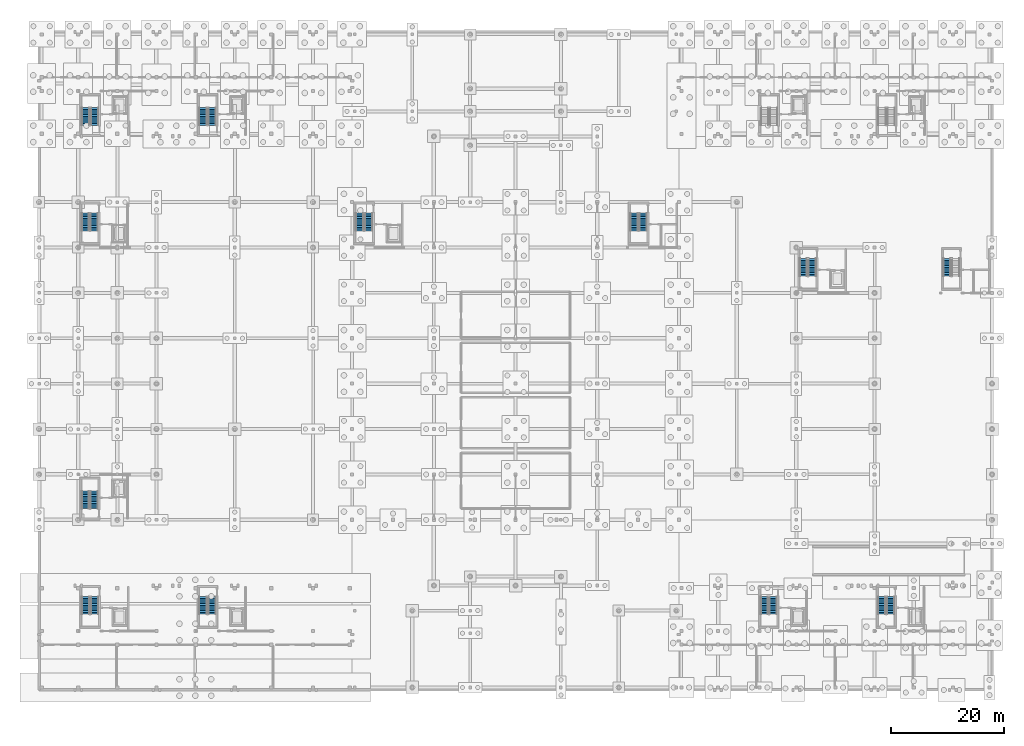
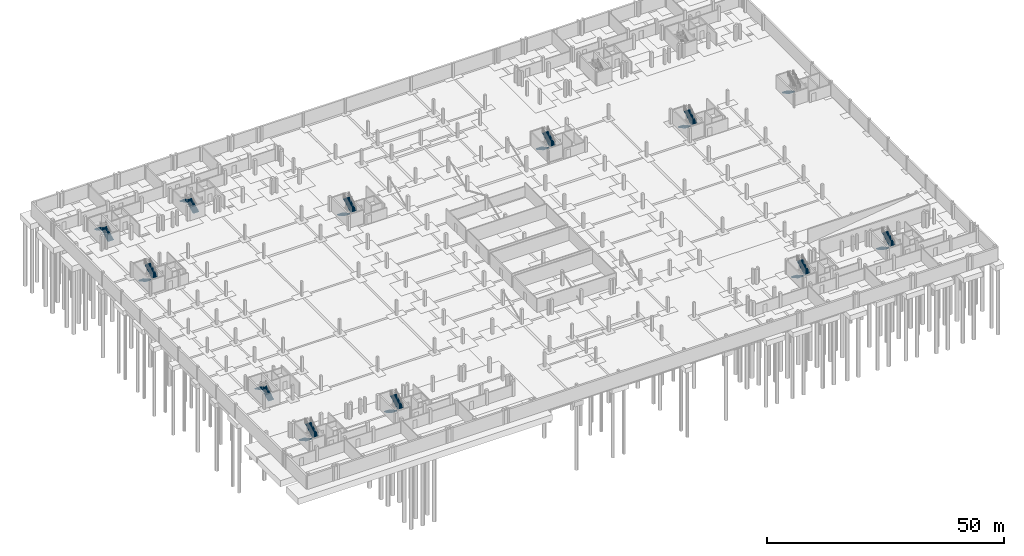
# One storey, part 30 of 38: 23 stair flights, 12 elements without a shape of their own.
"""IFC4 building model written with IfcOpenShell, lengths in metres."""

import ifcopenshell
import ifcopenshell.guid

model = None  # the IFC model being written
_history = None  # IfcOwnerHistory: only IFC2X3 demands one
_inside = {}  # id of a spatial element -> (the spatial element, [elements in it])
_under = {}  # id of a project, library or spatial element -> (it, [spatial elements below it])
_declared = {}  # id of a project -> (the project, [libraries it declares])
_typed = {}  # id of a type object -> (the type object, [elements of that type])
_made_of = {}  # id of a material, layer set ... -> (it, [elements and type objects made of it])


def new_model(schema):
    """Start an empty IFC model of exactly this schema.

    Asked for "IFC4X3", IfcOpenShell would pick the latest addendum, in which some entities
    have other attributes; the version numbers below select the first issue.
    IFC2X3 requires an IfcOwnerHistory on every rooted entity: one is made here for all.
    """
    global model, _history
    if schema == "IFC4X3":
        model = ifcopenshell.file(schema_version=(4, 3, 0, 0))
    else:
        model = ifcopenshell.file(schema=schema)
    _inside.clear()
    _under.clear()
    _declared.clear()
    _typed.clear()
    _made_of.clear()
    _history = None
    if model.schema == "IFC2X3":
        org = make("IfcOrganization", Name="unknown")
        user = make(
            "IfcPersonAndOrganization",
            ThePerson=make("IfcPerson", FamilyName="unknown"),
            TheOrganization=org,
        )
        app = make(
            "IfcApplication",
            ApplicationDeveloper=org,
            Version="unknown",
            ApplicationFullName="unknown",
            ApplicationIdentifier="unknown",
        )
        _history = make(
            "IfcOwnerHistory",
            OwningUser=user,
            OwningApplication=app,
            ChangeAction="ADDED",
            CreationDate=0,
        )
    return model


def make(cls, **values):
    """One entity of the class cls with the attributes given. An attribute that is None is left unset."""
    return model.create_entity(
        cls, **{name: value for name, value in values.items() if value is not None}
    )


def rooted(cls, **values):
    """An entity with a GlobalId (a new one), such as an element, a storey or a relation."""
    return make(cls, GlobalId=ifcopenshell.guid.new(), OwnerHistory=_history, **values)


def si_unit(unit_type, name, prefix=None):
    """IfcSIUnit, for example si_unit("LENGTHUNIT", "METRE", prefix="MILLI")."""
    return make("IfcSIUnit", UnitType=unit_type, Prefix=prefix, Name=name)


def assignment(units):
    """IfcUnitAssignment: the units of a project."""
    return None if units is None else make("IfcUnitAssignment", Units=units)


def point(xyz):
    """IfcCartesianPoint."""
    return None if xyz is None else make("IfcCartesianPoint", Coordinates=xyz)


def direction(xyz):
    """IfcDirection."""
    return None if xyz is None else make("IfcDirection", DirectionRatios=xyz)


def frame(location, z_axis=None, x_axis=None):
    """IfcAxis2Placement3D, a coordinate frame: its origin and axes. An axis left out is left unset."""
    return make(
        "IfcAxis2Placement3D",
        Location=point(location),
        Axis=direction(z_axis),
        RefDirection=direction(x_axis),
    )


def origin():
    """The frame at (0, 0, 0) with its axes left unset."""
    return frame((0.0, 0.0, 0.0))


def place(relative_to, where):
    """IfcLocalPlacement: puts the frame where relative to a parent placement (None: the world)."""
    return make(
        "IfcLocalPlacement", PlacementRelTo=relative_to, RelativePlacement=where
    )


def context(
    kind, dimensions, precision=None, world=None, true_north=None, identifier=None
):
    """IfcGeometricRepresentationContext, for example the 3D "Model" context."""
    return make(
        "IfcGeometricRepresentationContext",
        ContextIdentifier=identifier,
        ContextType=kind,
        CoordinateSpaceDimension=dimensions,
        Precision=precision,
        WorldCoordinateSystem=world,
        TrueNorth=true_north,
    )


def subcontext(parent, identifier, kind, view, scale=None):
    """IfcGeometricRepresentationSubContext, for example "Body" below "Model"."""
    return make(
        "IfcGeometricRepresentationSubContext",
        ContextIdentifier=identifier,
        ContextType=kind,
        ParentContext=parent,
        TargetScale=scale,
        TargetView=view,
    )


def project(units=None, contexts=None):
    """IfcProject with its units and contexts."""
    return rooted(
        "IfcProject",
        Name="project",
        RepresentationContexts=contexts,
        UnitsInContext=assignment(units),
    )


def spatial(cls, under=None, at=None, **own):
    """A site, building, storey or space (cls), placed at a placement, below another one or the project."""
    s = rooted(cls, ObjectPlacement=at, **own)
    if under is not None:
        _under.setdefault(under.id(), (under, []))[1].append(s)
    return s


def polyline(points):
    """IfcPolyline through the points."""
    return make("IfcPolyline", Points=[point(p) for p in points])


def outline(outer, holes=None, kind="AREA"):
    """IfcArbitraryClosedProfileDef: a profile drawn as a closed curve; with holes, ...WithVoids."""
    if holes is None:
        return make("IfcArbitraryClosedProfileDef", ProfileType=kind, OuterCurve=outer)
    return make(
        "IfcArbitraryProfileDefWithVoids",
        ProfileType=kind,
        OuterCurve=outer,
        InnerCurves=holes,
    )


def extrude(swept, where, along, depth):
    """IfcExtrudedAreaSolid: the profile swept, set in the frame where, extruded along a direction by depth."""
    return make(
        "IfcExtrudedAreaSolid",
        SweptArea=swept,
        Position=where,
        ExtrudedDirection=direction(along),
        Depth=depth,
    )


def shape(context_of_items, identifier, shape_type, items):
    """IfcShapeRepresentation: the items that make up one representation, for example the "Body"."""
    return make(
        "IfcShapeRepresentation",
        ContextOfItems=context_of_items,
        RepresentationIdentifier=identifier,
        RepresentationType=shape_type,
        Items=items,
    )


def material(Name=None, Category=None):
    """IfcMaterial."""
    return make("IfcMaterial", Name=Name, Category=Category)


def made_of(thing, what):
    """Note that an element or type object is made of a material, layer set ...; save() writes the relation."""
    if what is not None:
        _made_of.setdefault(what.id(), (what, []))[1].append(thing)
    return thing


def type_object(cls, material=None, **own):
    """A type object (cls), such as IfcWallType, which elements share."""
    return made_of(rooted(cls, **own), material)


def element(
    cls,
    number,
    at=None,
    inside=None,
    cuts=None,
    type_object=None,
    material=None,
    context=None,
    identifier="Body",
    shape_type=None,
    held_by="IfcProductDefinitionShape",
    body=None,
    shapes=None,
    **own,
):
    """One element of the class cls, such as IfcWall. Its Tag is "e" and its number.

    at: its placement. inside: the storey or other place that contains it. cuts: it is an
    opening in that element (IfcRelVoidsElement). A single representation is given by context,
    identifier, shape_type and body (its items); several are given by shapes. held_by: the class
    of the entity that holds the representations. save() writes the other relations.
    """
    e = rooted(cls, Tag="e%d" % number, ObjectPlacement=at, **own)
    if body is not None:
        shapes = [shape(context, identifier, shape_type, body)]
    if shapes is not None:
        e.Representation = make(held_by, Representations=shapes)
    if inside is not None:
        _inside.setdefault(inside.id(), (inside, []))[1].append(e)
    if cuts is not None:
        rooted(
            "IfcRelVoidsElement", RelatingBuildingElement=cuts, RelatedOpeningElement=e
        )
    if type_object is not None:
        _typed.setdefault(type_object.id(), (type_object, []))[1].append(e)
    return made_of(e, material)


def aggregate(whole, parts):
    """IfcRelAggregates: a whole, such as a stair, and the parts it consists of."""
    return rooted("IfcRelAggregates", RelatingObject=whole, RelatedObjects=parts)


def save(model, path):
    """Write the relations noted so far, then the file.

    IfcRelAggregates (storeys below a building ...), IfcRelContainedInSpatialStructure (elements
    in a storey), IfcRelDefinesByType, IfcRelAssociatesMaterial and IfcRelDeclares: one each for
    every whole, place, type object, material and project.
    """
    for whole, parts in _under.values():
        aggregate(whole, parts)
    for where, things in _inside.values():
        rooted(
            "IfcRelContainedInSpatialStructure",
            RelatedElements=things,
            RelatingStructure=where,
        )
    for kind, things in _typed.values():
        rooted("IfcRelDefinesByType", RelatedObjects=things, RelatingType=kind)
    for what, things in _made_of.values():
        rooted("IfcRelAssociatesMaterial", RelatedObjects=things, RelatingMaterial=what)
    for by, libraries in _declared.values():
        rooted("IfcRelDeclares", RelatingContext=by, RelatedDefinitions=libraries)
    model.write(path)


model = new_model("IFC4")

# Units and contexts
model_context = context("Model", 3, precision=1e-05, world=origin(), true_north=direction((0.0, 1.0)))
body_context = subcontext(model_context, "Body", "Model", "MODEL_VIEW")
ifc_project = project(units=[si_unit("LENGTHUNIT", "METRE"), si_unit("AREAUNIT", "SQUARE_METRE"), si_unit("VOLUMEUNIT", "CUBIC_METRE"), si_unit("PLANEANGLEUNIT", "RADIAN"), si_unit("MASSUNIT", "GRAM", prefix="KILO")], contexts=[model_context])

# Site, building, storey
site_placement = place(None, origin())
site = spatial("IfcSite", under=ifc_project, at=site_placement, CompositionType="ELEMENT")
building_placement = place(site_placement, origin())
building = spatial("IfcBuilding", under=site, at=building_placement, Name="Zavelmont Quarter", CompositionType="ELEMENT")
storey_placement = place(building_placement, frame((0.0, 0.0, -3.800048828125)))
storey = spatial("IfcBuildingStorey", under=building, at=storey_placement, Name="B01", CompositionType="ELEMENT", Elevation=-3.800048828125)

# Stair, stair flights
ifc_material = material(Name="Concrete C35/45", Category="concrete")
stair_type_1 = type_object("IfcStairType", Name="STR-1350-1727", PredefinedType="HALF_TURN_STAIR", material=ifc_material)
stair_1_placement = place(storey_placement, origin())
stair_1 = element("IfcStair", 1, at=stair_1_placement, inside=storey, type_object=stair_type_1, Name="B01 protected stair ST07", PredefinedType="HALF_TURN_STAIR")
stair_flight_type_1 = type_object("IfcStairFlightType", Name="STF-1350-1727", PredefinedType="STRAIGHT", material=ifc_material)
stair_flight_1_placement = place(storey_placement, frame((127.875, 16.449951171875, 0.0), z_axis=(0.0, 0.0, 1.0), x_axis=(0.0, -1.0, 0.0)))
stair_flight_1 = element("IfcStairFlight", 2, at=stair_flight_1_placement, type_object=stair_flight_type_1, Name="ST07 flight 1", NumberOfRisers=11, NumberOfTreads=10, PredefinedType="STRAIGHT", RiserHeight=0.172727273, TreadLength=0.31, context=body_context, shape_type="SweptSolid", body=[
    extrude(outline(polyline([(0.0, 0.0), (0.0, 0.172607421875), (0.31005859375, 0.172607421875), (0.31005859375, 0.345458984375), (0.6201171875, 0.345458984375), (0.6201171875, 0.51806640625), (0.929931640625, 0.51806640625), (0.929931640625, 0.69091796875), (1.239990234375, 0.69091796875), (1.239990234375, 0.863525390625), (1.550048828125, 0.863525390625), (1.550048828125, 1.036376953125), (1.860107421875, 1.036376953125), (1.860107421875, 1.208984375), (2.169921875, 1.208984375), (2.169921875, 1.3818359375), (2.47998046875, 1.3818359375), (2.47998046875, 1.554443359375), (2.7900390625, 1.554443359375), (2.7900390625, 1.727294921875), (3.10009765625, 1.727294921875), (3.10009765625, 1.89990234375), (3.10009765625, 1.544189453125), (0.32861328125, 0.0), (0.0, 0.0)])), frame((0.0, 0.675048828125, 0.0), z_axis=(0.0, -1.0, 0.0), x_axis=(1.0, 0.0, 0.0)), (0.0, 0.0, 1.0), 1.35009765625),
])
stair_flight_2_placement = place(storey_placement, frame((129.425048828125, 13.35009765625, 1.900146484375), z_axis=(0.0, 0.0, 1.0), x_axis=(0.0, 1.0, 0.0)))
stair_flight_2 = element("IfcStairFlight", 3, at=stair_flight_2_placement, type_object=stair_flight_type_1, Name="ST07 flight 2", NumberOfRisers=11, NumberOfTreads=10, PredefinedType="STRAIGHT", RiserHeight=0.172727273, TreadLength=0.31, context=body_context, shape_type="SweptSolid", body=[
    extrude(outline(polyline([(0.0, 0.0), (0.0, 0.172607421875), (0.31005859375, 0.172607421875), (0.31005859375, 0.345458984375), (0.6201171875, 0.345458984375), (0.6201171875, 0.51806640625), (0.929931640625, 0.51806640625), (0.929931640625, 0.69091796875), (1.239990234375, 0.69091796875), (1.239990234375, 0.863525390625), (1.550048828125, 0.863525390625), (1.550048828125, 1.036376953125), (1.860107421875, 1.036376953125), (1.860107421875, 1.208984375), (2.169921875, 1.208984375), (2.169921875, 1.3818359375), (2.47998046875, 1.3818359375), (2.47998046875, 1.554443359375), (2.7900390625, 1.554443359375), (2.7900390625, 1.727294921875), (3.10009765625, 1.727294921875), (3.10009765625, 1.89990234375), (3.10009765625, 1.544189453125), (0.32861328125, 0.0), (0.0, 0.0)])), frame((0.0, 0.675048828125, 0.0), z_axis=(0.0, -1.0, 0.0), x_axis=(1.0, 0.0, 0.0)), (0.0, 0.0, 1.0), 1.35009765625),
])
aggregate(stair_1, [stair_flight_1, stair_flight_2])

stair_2_placement = place(storey_placement, origin())
stair_2 = element("IfcStair", 4, at=stair_2_placement, inside=storey, type_object=stair_type_1, Name="B01 protected stair ST08", PredefinedType="HALF_TURN_STAIR")
stair_flight_3_placement = place(storey_placement, frame((148.574951171875, 16.449951171875, 0.0), z_axis=(0.0, 0.0, 1.0), x_axis=(0.0, -1.0, 0.0)))
stair_flight_3 = element("IfcStairFlight", 5, at=stair_flight_3_placement, type_object=stair_flight_type_1, Name="ST08 flight 1", NumberOfRisers=11, NumberOfTreads=10, PredefinedType="STRAIGHT", RiserHeight=0.172727273, TreadLength=0.31, context=body_context, shape_type="SweptSolid", body=[
    extrude(outline(polyline([(0.0, 0.0), (0.0, 0.172607421875), (0.31005859375, 0.172607421875), (0.31005859375, 0.345458984375), (0.6201171875, 0.345458984375), (0.6201171875, 0.51806640625), (0.929931640625, 0.51806640625), (0.929931640625, 0.69091796875), (1.239990234375, 0.69091796875), (1.239990234375, 0.863525390625), (1.550048828125, 0.863525390625), (1.550048828125, 1.036376953125), (1.860107421875, 1.036376953125), (1.860107421875, 1.208984375), (2.169921875, 1.208984375), (2.169921875, 1.3818359375), (2.47998046875, 1.3818359375), (2.47998046875, 1.554443359375), (2.7900390625, 1.554443359375), (2.7900390625, 1.727294921875), (3.10009765625, 1.727294921875), (3.10009765625, 1.89990234375), (3.10009765625, 1.544189453125), (0.32861328125, 0.0), (0.0, 0.0)])), frame((0.0, 0.675048828125, 0.0), z_axis=(0.0, -1.0, 0.0), x_axis=(1.0, 0.0, 0.0)), (0.0, 0.0, 1.0), 1.35009765625),
])
stair_flight_4_placement = place(storey_placement, frame((150.125, 13.35009765625, 1.900146484375), z_axis=(0.0, 0.0, 1.0), x_axis=(0.0, 1.0, 0.0)))
stair_flight_4 = element("IfcStairFlight", 6, at=stair_flight_4_placement, type_object=stair_flight_type_1, Name="ST08 flight 2", NumberOfRisers=11, NumberOfTreads=10, PredefinedType="STRAIGHT", RiserHeight=0.172727273, TreadLength=0.31, context=body_context, shape_type="SweptSolid", body=[
    extrude(outline(polyline([(0.0, 0.0), (0.0, 0.172607421875), (0.31005859375, 0.172607421875), (0.31005859375, 0.345458984375), (0.6201171875, 0.345458984375), (0.6201171875, 0.51806640625), (0.929931640625, 0.51806640625), (0.929931640625, 0.69091796875), (1.239990234375, 0.69091796875), (1.239990234375, 0.863525390625), (1.550048828125, 0.863525390625), (1.550048828125, 1.036376953125), (1.860107421875, 1.036376953125), (1.860107421875, 1.208984375), (2.169921875, 1.208984375), (2.169921875, 1.3818359375), (2.47998046875, 1.3818359375), (2.47998046875, 1.554443359375), (2.7900390625, 1.554443359375), (2.7900390625, 1.727294921875), (3.10009765625, 1.727294921875), (3.10009765625, 1.89990234375), (3.10009765625, 1.544189453125), (0.32861328125, 0.0), (0.0, 0.0)])), frame((0.0, 0.675048828125, 0.0), z_axis=(0.0, -1.0, 0.0), x_axis=(1.0, 0.0, 0.0)), (0.0, 0.0, 1.0), 1.35009765625),
])
aggregate(stair_2, [stair_flight_3, stair_flight_4])

stair_3_placement = place(storey_placement, origin())
stair_3 = element("IfcStair", 7, at=stair_3_placement, inside=storey, type_object=stair_type_1, Name="B01 protected stair ST11", PredefinedType="HALF_TURN_STAIR")
stair_flight_5_placement = place(storey_placement, frame((134.77490234375, 76.050048828125, 0.0), z_axis=(0.0, 0.0, 1.0), x_axis=(0.0, -1.0, 0.0)))
stair_flight_5 = element("IfcStairFlight", 8, at=stair_flight_5_placement, type_object=stair_flight_type_1, Name="ST11 flight 1", NumberOfRisers=11, NumberOfTreads=10, PredefinedType="STRAIGHT", RiserHeight=0.172727273, TreadLength=0.31, context=body_context, shape_type="SweptSolid", body=[
    extrude(outline(polyline([(0.0, 0.0), (0.0, 0.172607421875), (0.31005859375, 0.172607421875), (0.31005859375, 0.345458984375), (0.6201171875, 0.345458984375), (0.6201171875, 0.51806640625), (0.929931640625, 0.51806640625), (0.929931640625, 0.69091796875), (1.239990234375, 0.69091796875), (1.239990234375, 0.863525390625), (1.550048828125, 0.863525390625), (1.550048828125, 1.036376953125), (1.860107421875, 1.036376953125), (1.860107421875, 1.208984375), (2.169921875, 1.208984375), (2.169921875, 1.3818359375), (2.47998046875, 1.3818359375), (2.47998046875, 1.554443359375), (2.7900390625, 1.554443359375), (2.7900390625, 1.727294921875), (3.10009765625, 1.727294921875), (3.10009765625, 1.89990234375), (3.10009765625, 1.544189453125), (0.32861328125, 0.0), (0.0, 0.0)])), frame((0.0, 0.675048828125, 0.0), z_axis=(0.0, -1.0, 0.0), x_axis=(1.0, 0.0, 0.0)), (0.0, 0.0, 1.0), 1.35009765625),
])
stair_flight_6_placement = place(storey_placement, frame((136.324951171875, 72.949951171875, 1.900146484375), z_axis=(0.0, 0.0, 1.0), x_axis=(0.0, 1.0, 0.0)))
stair_flight_6 = element("IfcStairFlight", 9, at=stair_flight_6_placement, type_object=stair_flight_type_1, Name="ST11 flight 2", NumberOfRisers=11, NumberOfTreads=10, PredefinedType="STRAIGHT", RiserHeight=0.172727273, TreadLength=0.31, context=body_context, shape_type="SweptSolid", body=[
    extrude(outline(polyline([(0.0, 0.0), (0.0, 0.172607421875), (0.31005859375, 0.172607421875), (0.31005859375, 0.345458984375), (0.6201171875, 0.345458984375), (0.6201171875, 0.51806640625), (0.929931640625, 0.51806640625), (0.929931640625, 0.69091796875), (1.239990234375, 0.69091796875), (1.239990234375, 0.863525390625), (1.550048828125, 0.863525390625), (1.550048828125, 1.036376953125), (1.860107421875, 1.036376953125), (1.860107421875, 1.208984375), (2.169921875, 1.208984375), (2.169921875, 1.3818359375), (2.47998046875, 1.3818359375), (2.47998046875, 1.554443359375), (2.7900390625, 1.554443359375), (2.7900390625, 1.727294921875), (3.10009765625, 1.727294921875), (3.10009765625, 1.89990234375), (3.10009765625, 1.544189453125), (0.32861328125, 0.0), (0.0, 0.0)])), frame((0.0, 0.675048828125, 0.0), z_axis=(0.0, -1.0, 0.0), x_axis=(1.0, 0.0, 0.0)), (0.0, 0.0, 1.0), 1.35009765625),
])
aggregate(stair_3, [stair_flight_5, stair_flight_6])

# Stair, stair flight
stair_4_placement = place(storey_placement, origin())
stair_4 = element("IfcStair", 10, at=stair_4_placement, inside=storey, type_object=stair_type_1, Name="B01 protected stair ST12", PredefinedType="HALF_TURN_STAIR")
stair_flight_7_placement = place(storey_placement, frame((160.074951171875, 76.050048828125, 0.0), z_axis=(0.0, 0.0, 1.0), x_axis=(0.0, -1.0, 0.0)))
stair_flight_7 = element("IfcStairFlight", 11, at=stair_flight_7_placement, type_object=stair_flight_type_1, Name="ST12 flight 1", NumberOfRisers=11, NumberOfTreads=10, PredefinedType="STRAIGHT", RiserHeight=0.172727273, TreadLength=0.31, context=body_context, shape_type="SweptSolid", body=[
    extrude(outline(polyline([(0.0, 0.0), (0.0, 0.172607421875), (0.31005859375, 0.172607421875), (0.31005859375, 0.345458984375), (0.6201171875, 0.345458984375), (0.6201171875, 0.51806640625), (0.929931640625, 0.51806640625), (0.929931640625, 0.69091796875), (1.239990234375, 0.69091796875), (1.239990234375, 0.863525390625), (1.550048828125, 0.863525390625), (1.550048828125, 1.036376953125), (1.860107421875, 1.036376953125), (1.860107421875, 1.208984375), (2.169921875, 1.208984375), (2.169921875, 1.3818359375), (2.47998046875, 1.3818359375), (2.47998046875, 1.554443359375), (2.7900390625, 1.554443359375), (2.7900390625, 1.727294921875), (3.10009765625, 1.727294921875), (3.10009765625, 1.89990234375), (3.10009765625, 1.544189453125), (0.32861328125, 0.0), (0.0, 0.0)])), frame((0.0, 0.675048828125, 0.0), z_axis=(0.0, -1.0, 0.0), x_axis=(1.0, 0.0, 0.0)), (0.0, 0.0, 1.0), 1.35009765625),
])
aggregate(stair_4, [stair_flight_7])

# Stair, stair flights
stair_5_placement = place(storey_placement, origin())
stair_5 = element("IfcStair", 12, at=stair_5_placement, inside=storey, type_object=stair_type_1, Name="B01 protected stair ST13", PredefinedType="HALF_TURN_STAIR")
stair_flight_8_placement = place(storey_placement, frame((9.72509765625, 31.949951171875, 0.0), z_axis=(0.0, 0.0, 1.0), x_axis=(0.0, 1.0, 0.0)))
stair_flight_8 = element("IfcStairFlight", 13, at=stair_flight_8_placement, type_object=stair_flight_type_1, Name="ST13 flight 1", NumberOfRisers=11, NumberOfTreads=10, PredefinedType="STRAIGHT", RiserHeight=0.172727273, TreadLength=0.31, context=body_context, shape_type="SweptSolid", body=[
    extrude(outline(polyline([(0.0, 0.0), (0.0, 0.172607421875), (0.31005859375, 0.172607421875), (0.31005859375, 0.345458984375), (0.6201171875, 0.345458984375), (0.6201171875, 0.51806640625), (0.929931640625, 0.51806640625), (0.929931640625, 0.69091796875), (1.239990234375, 0.69091796875), (1.239990234375, 0.863525390625), (1.550048828125, 0.863525390625), (1.550048828125, 1.036376953125), (1.860107421875, 1.036376953125), (1.860107421875, 1.208984375), (2.169921875, 1.208984375), (2.169921875, 1.3818359375), (2.47998046875, 1.3818359375), (2.47998046875, 1.554443359375), (2.7900390625, 1.554443359375), (2.7900390625, 1.727294921875), (3.10009765625, 1.727294921875), (3.10009765625, 1.89990234375), (3.10009765625, 1.544189453125), (0.32861328125, 0.0), (0.0, 0.0)])), frame((0.0, 0.675048828125, 0.0), z_axis=(0.0, -1.0, 0.0), x_axis=(1.0, 0.0, 0.0)), (0.0, 0.0, 1.0), 1.35009765625),
])
stair_flight_9_placement = place(storey_placement, frame((8.175048828125, 35.050048828125, 1.900146484375), z_axis=(0.0, 0.0, 1.0), x_axis=(0.0, -1.0, 0.0)))
stair_flight_9 = element("IfcStairFlight", 14, at=stair_flight_9_placement, type_object=stair_flight_type_1, Name="ST13 flight 2", NumberOfRisers=11, NumberOfTreads=10, PredefinedType="STRAIGHT", RiserHeight=0.172727273, TreadLength=0.31, context=body_context, shape_type="SweptSolid", body=[
    extrude(outline(polyline([(0.0, 0.0), (0.0, 0.172607421875), (0.31005859375, 0.172607421875), (0.31005859375, 0.345458984375), (0.6201171875, 0.345458984375), (0.6201171875, 0.51806640625), (0.929931640625, 0.51806640625), (0.929931640625, 0.69091796875), (1.239990234375, 0.69091796875), (1.239990234375, 0.863525390625), (1.550048828125, 0.863525390625), (1.550048828125, 1.036376953125), (1.860107421875, 1.036376953125), (1.860107421875, 1.208984375), (2.169921875, 1.208984375), (2.169921875, 1.3818359375), (2.47998046875, 1.3818359375), (2.47998046875, 1.554443359375), (2.7900390625, 1.554443359375), (2.7900390625, 1.727294921875), (3.10009765625, 1.727294921875), (3.10009765625, 1.89990234375), (3.10009765625, 1.544189453125), (0.32861328125, 0.0), (0.0, 0.0)])), frame((0.0, 0.675048828125, 0.0), z_axis=(0.0, -1.0, 0.0), x_axis=(1.0, 0.0, 0.0)), (0.0, 0.0, 1.0), 1.35009765625),
])
aggregate(stair_5, [stair_flight_8, stair_flight_9])

stair_6_placement = place(storey_placement, origin())
stair_6 = element("IfcStair", 15, at=stair_6_placement, inside=storey, type_object=stair_type_1, Name="B01 protected stair ST14", PredefinedType="HALF_TURN_STAIR")
stair_flight_10_placement = place(storey_placement, frame((8.175048828125, 84.050048828125, 0.0), z_axis=(0.0, 0.0, 1.0), x_axis=(0.0, -1.0, 0.0)))
stair_flight_10 = element("IfcStairFlight", 16, at=stair_flight_10_placement, type_object=stair_flight_type_1, Name="ST14 flight 1", NumberOfRisers=11, NumberOfTreads=10, PredefinedType="STRAIGHT", RiserHeight=0.172727273, TreadLength=0.31, context=body_context, shape_type="SweptSolid", body=[
    extrude(outline(polyline([(0.0, 0.0), (0.0, 0.172607421875), (0.31005859375, 0.172607421875), (0.31005859375, 0.345458984375), (0.6201171875, 0.345458984375), (0.6201171875, 0.51806640625), (0.929931640625, 0.51806640625), (0.929931640625, 0.69091796875), (1.239990234375, 0.69091796875), (1.239990234375, 0.863525390625), (1.550048828125, 0.863525390625), (1.550048828125, 1.036376953125), (1.860107421875, 1.036376953125), (1.860107421875, 1.208984375), (2.169921875, 1.208984375), (2.169921875, 1.3818359375), (2.47998046875, 1.3818359375), (2.47998046875, 1.554443359375), (2.7900390625, 1.554443359375), (2.7900390625, 1.727294921875), (3.10009765625, 1.727294921875), (3.10009765625, 1.89990234375), (3.10009765625, 1.544189453125), (0.32861328125, 0.0), (0.0, 0.0)])), frame((0.0, 0.675048828125, 0.0), z_axis=(0.0, -1.0, 0.0), x_axis=(1.0, 0.0, 0.0)), (0.0, 0.0, 1.0), 1.35009765625),
])
stair_flight_11_placement = place(storey_placement, frame((9.72509765625, 80.949951171875, 1.900146484375), z_axis=(0.0, 0.0, 1.0), x_axis=(0.0, 1.0, 0.0)))
stair_flight_11 = element("IfcStairFlight", 17, at=stair_flight_11_placement, type_object=stair_flight_type_1, Name="ST14 flight 2", NumberOfRisers=11, NumberOfTreads=10, PredefinedType="STRAIGHT", RiserHeight=0.172727273, TreadLength=0.31, context=body_context, shape_type="SweptSolid", body=[
    extrude(outline(polyline([(0.0, 0.0), (0.0, 0.172607421875), (0.31005859375, 0.172607421875), (0.31005859375, 0.345458984375), (0.6201171875, 0.345458984375), (0.6201171875, 0.51806640625), (0.929931640625, 0.51806640625), (0.929931640625, 0.69091796875), (1.239990234375, 0.69091796875), (1.239990234375, 0.863525390625), (1.550048828125, 0.863525390625), (1.550048828125, 1.036376953125), (1.860107421875, 1.036376953125), (1.860107421875, 1.208984375), (2.169921875, 1.208984375), (2.169921875, 1.3818359375), (2.47998046875, 1.3818359375), (2.47998046875, 1.554443359375), (2.7900390625, 1.554443359375), (2.7900390625, 1.727294921875), (3.10009765625, 1.727294921875), (3.10009765625, 1.89990234375), (3.10009765625, 1.544189453125), (0.32861328125, 0.0), (0.0, 0.0)])), frame((0.0, 0.675048828125, 0.0), z_axis=(0.0, -1.0, 0.0), x_axis=(1.0, 0.0, 0.0)), (0.0, 0.0, 1.0), 1.35009765625),
])
aggregate(stair_6, [stair_flight_10, stair_flight_11])

stair_type_2 = type_object("IfcStairType", Name="STR-1400-1727", PredefinedType="HALF_TURN_STAIR", material=ifc_material)
stair_7_placement = place(storey_placement, origin())
stair_7 = element("IfcStair", 18, at=stair_7_placement, inside=storey, type_object=stair_type_2, Name="B01 protected stair ST01", PredefinedType="HALF_TURN_STAIR")
stair_flight_type_2 = type_object("IfcStairFlightType", Name="STF-1400-1727", PredefinedType="STRAIGHT", material=ifc_material)
stair_flight_12_placement = place(storey_placement, frame((8.199951171875, 16.449951171875, 0.0), z_axis=(0.0, 0.0, 1.0), x_axis=(0.0, -1.0, 0.0)))
stair_flight_12 = element("IfcStairFlight", 19, at=stair_flight_12_placement, type_object=stair_flight_type_2, Name="ST01 flight 1", NumberOfRisers=11, NumberOfTreads=10, PredefinedType="STRAIGHT", RiserHeight=0.172727273, TreadLength=0.31, context=body_context, shape_type="SweptSolid", body=[
    extrude(outline(polyline([(0.0, 0.0), (0.0, 0.172607421875), (0.31005859375, 0.172607421875), (0.31005859375, 0.345458984375), (0.6201171875, 0.345458984375), (0.6201171875, 0.51806640625), (0.929931640625, 0.51806640625), (0.929931640625, 0.69091796875), (1.239990234375, 0.69091796875), (1.239990234375, 0.863525390625), (1.550048828125, 0.863525390625), (1.550048828125, 1.036376953125), (1.860107421875, 1.036376953125), (1.860107421875, 1.208984375), (2.169921875, 1.208984375), (2.169921875, 1.3818359375), (2.47998046875, 1.3818359375), (2.47998046875, 1.554443359375), (2.7900390625, 1.554443359375), (2.7900390625, 1.727294921875), (3.10009765625, 1.727294921875), (3.10009765625, 1.89990234375), (3.10009765625, 1.544189453125), (0.32861328125, 0.0), (0.0, 0.0)])), frame((0.0, 0.699951171875, 0.0), z_axis=(0.0, -1.0, 0.0), x_axis=(1.0, 0.0, 0.0)), (0.0, 0.0, 1.0), 1.39990234375),
])
stair_flight_13_placement = place(storey_placement, frame((9.800048828125, 13.35009765625, 1.900146484375), z_axis=(0.0, 0.0, 1.0), x_axis=(0.0, 1.0, 0.0)))
stair_flight_13 = element("IfcStairFlight", 20, at=stair_flight_13_placement, type_object=stair_flight_type_2, Name="ST01 flight 2", NumberOfRisers=11, NumberOfTreads=10, PredefinedType="STRAIGHT", RiserHeight=0.172727273, TreadLength=0.31, context=body_context, shape_type="SweptSolid", body=[
    extrude(outline(polyline([(0.0, 0.0), (0.0, 0.172607421875), (0.31005859375, 0.172607421875), (0.31005859375, 0.345458984375), (0.6201171875, 0.345458984375), (0.6201171875, 0.51806640625), (0.929931640625, 0.51806640625), (0.929931640625, 0.69091796875), (1.239990234375, 0.69091796875), (1.239990234375, 0.863525390625), (1.550048828125, 0.863525390625), (1.550048828125, 1.036376953125), (1.860107421875, 1.036376953125), (1.860107421875, 1.208984375), (2.169921875, 1.208984375), (2.169921875, 1.3818359375), (2.47998046875, 1.3818359375), (2.47998046875, 1.554443359375), (2.7900390625, 1.554443359375), (2.7900390625, 1.727294921875), (3.10009765625, 1.727294921875), (3.10009765625, 1.89990234375), (3.10009765625, 1.544189453125), (0.32861328125, 0.0), (0.0, 0.0)])), frame((0.0, 0.699951171875, 0.0), z_axis=(0.0, -1.0, 0.0), x_axis=(1.0, 0.0, 0.0)), (0.0, 0.0, 1.0), 1.39990234375),
])
aggregate(stair_7, [stair_flight_12, stair_flight_13])

stair_8_placement = place(storey_placement, origin())
stair_8 = element("IfcStair", 21, at=stair_8_placement, inside=storey, type_object=stair_type_2, Name="B01 protected stair ST02", PredefinedType="HALF_TURN_STAIR")
stair_flight_14_placement = place(storey_placement, frame((28.89990234375, 16.449951171875, 0.0), z_axis=(0.0, 0.0, 1.0), x_axis=(0.0, -1.0, 0.0)))
stair_flight_14 = element("IfcStairFlight", 22, at=stair_flight_14_placement, type_object=stair_flight_type_2, Name="ST02 flight 1", NumberOfRisers=11, NumberOfTreads=10, PredefinedType="STRAIGHT", RiserHeight=0.172727273, TreadLength=0.31, context=body_context, shape_type="SweptSolid", body=[
    extrude(outline(polyline([(0.0, 0.0), (0.0, 0.172607421875), (0.31005859375, 0.172607421875), (0.31005859375, 0.345458984375), (0.6201171875, 0.345458984375), (0.6201171875, 0.51806640625), (0.929931640625, 0.51806640625), (0.929931640625, 0.69091796875), (1.239990234375, 0.69091796875), (1.239990234375, 0.863525390625), (1.550048828125, 0.863525390625), (1.550048828125, 1.036376953125), (1.860107421875, 1.036376953125), (1.860107421875, 1.208984375), (2.169921875, 1.208984375), (2.169921875, 1.3818359375), (2.47998046875, 1.3818359375), (2.47998046875, 1.554443359375), (2.7900390625, 1.554443359375), (2.7900390625, 1.727294921875), (3.10009765625, 1.727294921875), (3.10009765625, 1.89990234375), (3.10009765625, 1.544189453125), (0.32861328125, 0.0), (0.0, 0.0)])), frame((0.0, 0.699951171875, 0.0), z_axis=(0.0, -1.0, 0.0), x_axis=(1.0, 0.0, 0.0)), (0.0, 0.0, 1.0), 1.39990234375),
])
stair_flight_15_placement = place(storey_placement, frame((30.5, 13.35009765625, 1.900146484375), z_axis=(0.0, 0.0, 1.0), x_axis=(0.0, 1.0, 0.0)))
stair_flight_15 = element("IfcStairFlight", 23, at=stair_flight_15_placement, type_object=stair_flight_type_2, Name="ST02 flight 2", NumberOfRisers=11, NumberOfTreads=10, PredefinedType="STRAIGHT", RiserHeight=0.172727273, TreadLength=0.31, context=body_context, shape_type="SweptSolid", body=[
    extrude(outline(polyline([(0.0, 0.0), (0.0, 0.172607421875), (0.31005859375, 0.172607421875), (0.31005859375, 0.345458984375), (0.6201171875, 0.345458984375), (0.6201171875, 0.51806640625), (0.929931640625, 0.51806640625), (0.929931640625, 0.69091796875), (1.239990234375, 0.69091796875), (1.239990234375, 0.863525390625), (1.550048828125, 0.863525390625), (1.550048828125, 1.036376953125), (1.860107421875, 1.036376953125), (1.860107421875, 1.208984375), (2.169921875, 1.208984375), (2.169921875, 1.3818359375), (2.47998046875, 1.3818359375), (2.47998046875, 1.554443359375), (2.7900390625, 1.554443359375), (2.7900390625, 1.727294921875), (3.10009765625, 1.727294921875), (3.10009765625, 1.89990234375), (3.10009765625, 1.544189453125), (0.32861328125, 0.0), (0.0, 0.0)])), frame((0.0, 0.699951171875, 0.0), z_axis=(0.0, -1.0, 0.0), x_axis=(1.0, 0.0, 0.0)), (0.0, 0.0, 1.0), 1.39990234375),
])
aggregate(stair_8, [stair_flight_14, stair_flight_15])

stair_9_placement = place(storey_placement, origin())
stair_9 = element("IfcStair", 24, at=stair_9_placement, inside=storey, type_object=stair_type_2, Name="B01 protected stair ST03", PredefinedType="HALF_TURN_STAIR")
stair_flight_16_placement = place(storey_placement, frame((9.800048828125, 99.550048828125, 0.0), z_axis=(0.0, 0.0, 1.0), x_axis=(0.0, 1.0, 0.0)))
stair_flight_16 = element("IfcStairFlight", 25, at=stair_flight_16_placement, type_object=stair_flight_type_2, Name="ST03 flight 1", NumberOfRisers=11, NumberOfTreads=10, PredefinedType="STRAIGHT", RiserHeight=0.172727273, TreadLength=0.31, context=body_context, shape_type="SweptSolid", body=[
    extrude(outline(polyline([(0.0, 0.0), (0.0, 0.172607421875), (0.31005859375, 0.172607421875), (0.31005859375, 0.345458984375), (0.6201171875, 0.345458984375), (0.6201171875, 0.51806640625), (0.929931640625, 0.51806640625), (0.929931640625, 0.69091796875), (1.239990234375, 0.69091796875), (1.239990234375, 0.863525390625), (1.550048828125, 0.863525390625), (1.550048828125, 1.036376953125), (1.860107421875, 1.036376953125), (1.860107421875, 1.208984375), (2.169921875, 1.208984375), (2.169921875, 1.3818359375), (2.47998046875, 1.3818359375), (2.47998046875, 1.554443359375), (2.7900390625, 1.554443359375), (2.7900390625, 1.727294921875), (3.10009765625, 1.727294921875), (3.10009765625, 1.89990234375), (3.10009765625, 1.544189453125), (0.32861328125, 0.0), (0.0, 0.0)])), frame((0.0, 0.699951171875, 0.0), z_axis=(0.0, -1.0, 0.0), x_axis=(1.0, 0.0, 0.0)), (0.0, 0.0, 1.0), 1.39990234375),
])
stair_flight_17_placement = place(storey_placement, frame((8.199951171875, 102.64990234375, 1.900146484375), z_axis=(0.0, 0.0, 1.0), x_axis=(0.0, -1.0, 0.0)))
stair_flight_17 = element("IfcStairFlight", 26, at=stair_flight_17_placement, type_object=stair_flight_type_2, Name="ST03 flight 2", NumberOfRisers=11, NumberOfTreads=10, PredefinedType="STRAIGHT", RiserHeight=0.172727273, TreadLength=0.31, context=body_context, shape_type="SweptSolid", body=[
    extrude(outline(polyline([(0.0, 0.0), (0.0, 0.172607421875), (0.31005859375, 0.172607421875), (0.31005859375, 0.345458984375), (0.6201171875, 0.345458984375), (0.6201171875, 0.51806640625), (0.929931640625, 0.51806640625), (0.929931640625, 0.69091796875), (1.239990234375, 0.69091796875), (1.239990234375, 0.863525390625), (1.550048828125, 0.863525390625), (1.550048828125, 1.036376953125), (1.860107421875, 1.036376953125), (1.860107421875, 1.208984375), (2.169921875, 1.208984375), (2.169921875, 1.3818359375), (2.47998046875, 1.3818359375), (2.47998046875, 1.554443359375), (2.7900390625, 1.554443359375), (2.7900390625, 1.727294921875), (3.10009765625, 1.727294921875), (3.10009765625, 1.89990234375), (3.10009765625, 1.544189453125), (0.32861328125, 0.0), (0.0, 0.0)])), frame((0.0, 0.699951171875, 0.0), z_axis=(0.0, -1.0, 0.0), x_axis=(1.0, 0.0, 0.0)), (0.0, 0.0, 1.0), 1.39990234375),
])
aggregate(stair_9, [stair_flight_16, stair_flight_17])

stair_10_placement = place(storey_placement, origin())
stair_10 = element("IfcStair", 27, at=stair_10_placement, inside=storey, type_object=stair_type_2, Name="B01 protected stair ST04", PredefinedType="HALF_TURN_STAIR")
stair_flight_18_placement = place(storey_placement, frame((30.5, 99.550048828125, 0.0), z_axis=(0.0, 0.0, 1.0), x_axis=(0.0, 1.0, 0.0)))
stair_flight_18 = element("IfcStairFlight", 28, at=stair_flight_18_placement, type_object=stair_flight_type_2, Name="ST04 flight 1", NumberOfRisers=11, NumberOfTreads=10, PredefinedType="STRAIGHT", RiserHeight=0.172727273, TreadLength=0.31, context=body_context, shape_type="SweptSolid", body=[
    extrude(outline(polyline([(0.0, 0.0), (0.0, 0.172607421875), (0.31005859375, 0.172607421875), (0.31005859375, 0.345458984375), (0.6201171875, 0.345458984375), (0.6201171875, 0.51806640625), (0.929931640625, 0.51806640625), (0.929931640625, 0.69091796875), (1.239990234375, 0.69091796875), (1.239990234375, 0.863525390625), (1.550048828125, 0.863525390625), (1.550048828125, 1.036376953125), (1.860107421875, 1.036376953125), (1.860107421875, 1.208984375), (2.169921875, 1.208984375), (2.169921875, 1.3818359375), (2.47998046875, 1.3818359375), (2.47998046875, 1.554443359375), (2.7900390625, 1.554443359375), (2.7900390625, 1.727294921875), (3.10009765625, 1.727294921875), (3.10009765625, 1.89990234375), (3.10009765625, 1.544189453125), (0.32861328125, 0.0), (0.0, 0.0)])), frame((0.0, 0.699951171875, 0.0), z_axis=(0.0, -1.0, 0.0), x_axis=(1.0, 0.0, 0.0)), (0.0, 0.0, 1.0), 1.39990234375),
])
stair_flight_19_placement = place(storey_placement, frame((28.89990234375, 102.64990234375, 1.900146484375), z_axis=(0.0, 0.0, 1.0), x_axis=(0.0, -1.0, 0.0)))
stair_flight_19 = element("IfcStairFlight", 29, at=stair_flight_19_placement, type_object=stair_flight_type_2, Name="ST04 flight 2", NumberOfRisers=11, NumberOfTreads=10, PredefinedType="STRAIGHT", RiserHeight=0.172727273, TreadLength=0.31, context=body_context, shape_type="SweptSolid", body=[
    extrude(outline(polyline([(0.0, 0.0), (0.0, 0.172607421875), (0.31005859375, 0.172607421875), (0.31005859375, 0.345458984375), (0.6201171875, 0.345458984375), (0.6201171875, 0.51806640625), (0.929931640625, 0.51806640625), (0.929931640625, 0.69091796875), (1.239990234375, 0.69091796875), (1.239990234375, 0.863525390625), (1.550048828125, 0.863525390625), (1.550048828125, 1.036376953125), (1.860107421875, 1.036376953125), (1.860107421875, 1.208984375), (2.169921875, 1.208984375), (2.169921875, 1.3818359375), (2.47998046875, 1.3818359375), (2.47998046875, 1.554443359375), (2.7900390625, 1.554443359375), (2.7900390625, 1.727294921875), (3.10009765625, 1.727294921875), (3.10009765625, 1.89990234375), (3.10009765625, 1.544189453125), (0.32861328125, 0.0), (0.0, 0.0)])), frame((0.0, 0.699951171875, 0.0), z_axis=(0.0, -1.0, 0.0), x_axis=(1.0, 0.0, 0.0)), (0.0, 0.0, 1.0), 1.39990234375),
])
aggregate(stair_10, [stair_flight_18, stair_flight_19])

stair_11_placement = place(storey_placement, origin())
stair_11 = element("IfcStair", 30, at=stair_11_placement, inside=storey, type_object=stair_type_2, Name="B01 protected stair ST09", PredefinedType="HALF_TURN_STAIR")
stair_flight_20_placement = place(storey_placement, frame((56.5, 84.050048828125, 0.0), z_axis=(0.0, 0.0, 1.0), x_axis=(0.0, -1.0, 0.0)))
stair_flight_20 = element("IfcStairFlight", 31, at=stair_flight_20_placement, type_object=stair_flight_type_2, Name="ST09 flight 1", NumberOfRisers=11, NumberOfTreads=10, PredefinedType="STRAIGHT", RiserHeight=0.172727273, TreadLength=0.31, context=body_context, shape_type="SweptSolid", body=[
    extrude(outline(polyline([(0.0, 0.0), (0.0, 0.172607421875), (0.31005859375, 0.172607421875), (0.31005859375, 0.345458984375), (0.6201171875, 0.345458984375), (0.6201171875, 0.51806640625), (0.929931640625, 0.51806640625), (0.929931640625, 0.69091796875), (1.239990234375, 0.69091796875), (1.239990234375, 0.863525390625), (1.550048828125, 0.863525390625), (1.550048828125, 1.036376953125), (1.860107421875, 1.036376953125), (1.860107421875, 1.208984375), (2.169921875, 1.208984375), (2.169921875, 1.3818359375), (2.47998046875, 1.3818359375), (2.47998046875, 1.554443359375), (2.7900390625, 1.554443359375), (2.7900390625, 1.727294921875), (3.10009765625, 1.727294921875), (3.10009765625, 1.89990234375), (3.10009765625, 1.544189453125), (0.32861328125, 0.0), (0.0, 0.0)])), frame((0.0, 0.699951171875, 0.0), z_axis=(0.0, -1.0, 0.0), x_axis=(1.0, 0.0, 0.0)), (0.0, 0.0, 1.0), 1.39990234375),
])
stair_flight_21_placement = place(storey_placement, frame((58.10009765625, 80.949951171875, 1.900146484375), z_axis=(0.0, 0.0, 1.0), x_axis=(0.0, 1.0, 0.0)))
stair_flight_21 = element("IfcStairFlight", 32, at=stair_flight_21_placement, type_object=stair_flight_type_2, Name="ST09 flight 2", NumberOfRisers=11, NumberOfTreads=10, PredefinedType="STRAIGHT", RiserHeight=0.172727273, TreadLength=0.31, context=body_context, shape_type="SweptSolid", body=[
    extrude(outline(polyline([(0.0, 0.0), (0.0, 0.172607421875), (0.31005859375, 0.172607421875), (0.31005859375, 0.345458984375), (0.6201171875, 0.345458984375), (0.6201171875, 0.51806640625), (0.929931640625, 0.51806640625), (0.929931640625, 0.69091796875), (1.239990234375, 0.69091796875), (1.239990234375, 0.863525390625), (1.550048828125, 0.863525390625), (1.550048828125, 1.036376953125), (1.860107421875, 1.036376953125), (1.860107421875, 1.208984375), (2.169921875, 1.208984375), (2.169921875, 1.3818359375), (2.47998046875, 1.3818359375), (2.47998046875, 1.554443359375), (2.7900390625, 1.554443359375), (2.7900390625, 1.727294921875), (3.10009765625, 1.727294921875), (3.10009765625, 1.89990234375), (3.10009765625, 1.544189453125), (0.32861328125, 0.0), (0.0, 0.0)])), frame((0.0, 0.699951171875, 0.0), z_axis=(0.0, -1.0, 0.0), x_axis=(1.0, 0.0, 0.0)), (0.0, 0.0, 1.0), 1.39990234375),
])
aggregate(stair_11, [stair_flight_20, stair_flight_21])

stair_12_placement = place(storey_placement, origin())
stair_12 = element("IfcStair", 33, at=stair_12_placement, inside=storey, type_object=stair_type_2, Name="B01 protected stair ST10", PredefinedType="HALF_TURN_STAIR")
stair_flight_22_placement = place(storey_placement, frame((104.89990234375, 84.050048828125, 0.0), z_axis=(0.0, 0.0, 1.0), x_axis=(0.0, -1.0, 0.0)))
stair_flight_22 = element("IfcStairFlight", 34, at=stair_flight_22_placement, type_object=stair_flight_type_2, Name="ST10 flight 1", NumberOfRisers=11, NumberOfTreads=10, PredefinedType="STRAIGHT", RiserHeight=0.172727273, TreadLength=0.31, context=body_context, shape_type="SweptSolid", body=[
    extrude(outline(polyline([(0.0, 0.0), (0.0, 0.172607421875), (0.31005859375, 0.172607421875), (0.31005859375, 0.345458984375), (0.6201171875, 0.345458984375), (0.6201171875, 0.51806640625), (0.929931640625, 0.51806640625), (0.929931640625, 0.69091796875), (1.239990234375, 0.69091796875), (1.239990234375, 0.863525390625), (1.550048828125, 0.863525390625), (1.550048828125, 1.036376953125), (1.860107421875, 1.036376953125), (1.860107421875, 1.208984375), (2.169921875, 1.208984375), (2.169921875, 1.3818359375), (2.47998046875, 1.3818359375), (2.47998046875, 1.554443359375), (2.7900390625, 1.554443359375), (2.7900390625, 1.727294921875), (3.10009765625, 1.727294921875), (3.10009765625, 1.89990234375), (3.10009765625, 1.544189453125), (0.32861328125, 0.0), (0.0, 0.0)])), frame((0.0, 0.699951171875, 0.0), z_axis=(0.0, -1.0, 0.0), x_axis=(1.0, 0.0, 0.0)), (0.0, 0.0, 1.0), 1.39990234375),
])
stair_flight_23_placement = place(storey_placement, frame((106.5, 80.949951171875, 1.900146484375), z_axis=(0.0, 0.0, 1.0), x_axis=(0.0, 1.0, 0.0)))
stair_flight_23 = element("IfcStairFlight", 35, at=stair_flight_23_placement, type_object=stair_flight_type_2, Name="ST10 flight 2", NumberOfRisers=11, NumberOfTreads=10, PredefinedType="STRAIGHT", RiserHeight=0.172727273, TreadLength=0.31, context=body_context, shape_type="SweptSolid", body=[
    extrude(outline(polyline([(0.0, 0.0), (0.0, 0.172607421875), (0.31005859375, 0.172607421875), (0.31005859375, 0.345458984375), (0.6201171875, 0.345458984375), (0.6201171875, 0.51806640625), (0.929931640625, 0.51806640625), (0.929931640625, 0.69091796875), (1.239990234375, 0.69091796875), (1.239990234375, 0.863525390625), (1.550048828125, 0.863525390625), (1.550048828125, 1.036376953125), (1.860107421875, 1.036376953125), (1.860107421875, 1.208984375), (2.169921875, 1.208984375), (2.169921875, 1.3818359375), (2.47998046875, 1.3818359375), (2.47998046875, 1.554443359375), (2.7900390625, 1.554443359375), (2.7900390625, 1.727294921875), (3.10009765625, 1.727294921875), (3.10009765625, 1.89990234375), (3.10009765625, 1.544189453125), (0.32861328125, 0.0), (0.0, 0.0)])), frame((0.0, 0.699951171875, 0.0), z_axis=(0.0, -1.0, 0.0), x_axis=(1.0, 0.0, 0.0)), (0.0, 0.0, 1.0), 1.39990234375),
])
aggregate(stair_12, [stair_flight_22, stair_flight_23])

save(model, "model.ifc")
